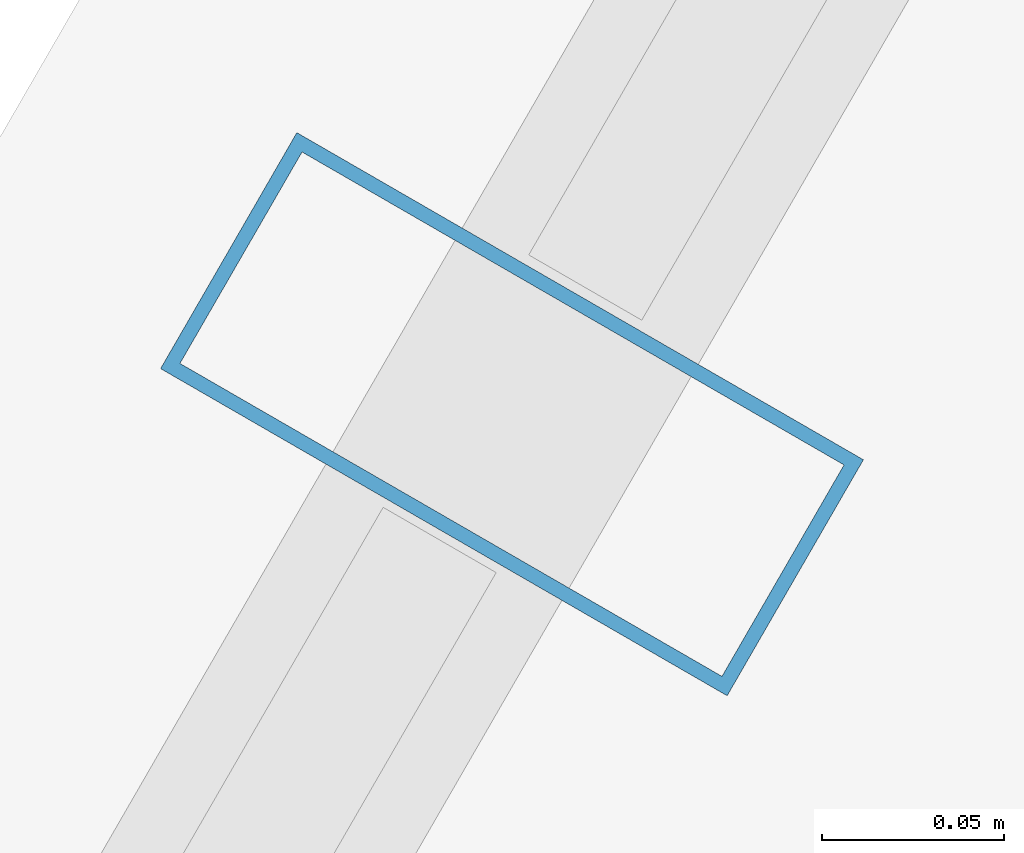
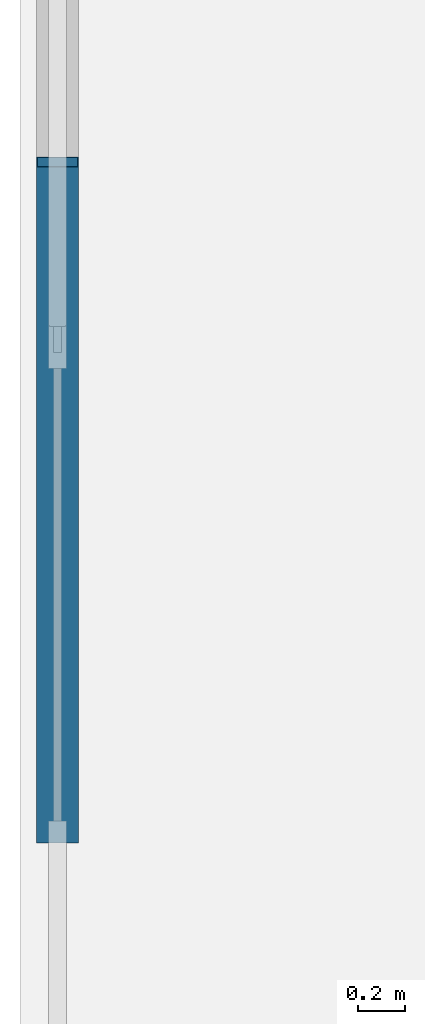
# One storey, part 13 of 31: 1 member, 1 element without a shape of its own.
"""IFC4 building model written with IfcOpenShell, lengths in metres."""

from ifc_helpers import new_model, si_unit, direction, frame, origin, origin_2d, place, context, subcontext, project, spatial, hollow_rectangle, extrude, material, layer, layer_set, material_profile, profile_set, type_object, element, aggregate, save


model = new_model("IFC4")

# Units and contexts
model_context = context("Model", 3, precision=1e-05, world=origin(), true_north=direction((0.0, 1.0)))
body_context = subcontext(model_context, "Body", "Model", "MODEL_VIEW")
ifc_project = project(units=[si_unit("LENGTHUNIT", "METRE"), si_unit("AREAUNIT", "SQUARE_METRE"), si_unit("VOLUMEUNIT", "CUBIC_METRE"), si_unit("PLANEANGLEUNIT", "RADIAN"), si_unit("MASSUNIT", "GRAM", prefix="KILO")], contexts=[model_context])

# Site, building, storey
site_placement = place(None, origin())
site = spatial("IfcSite", under=ifc_project, at=site_placement, CompositionType="ELEMENT")
building_placement = place(site_placement, origin())
building = spatial("IfcBuilding", under=site, at=building_placement, Name="Ndaravel Arena Tower", CompositionType="ELEMENT")
storey_placement = place(building_placement, frame((0.0, 0.0, 108.199951171875)))
storey = spatial("IfcBuildingStorey", under=building, at=storey_placement, Name="L25", CompositionType="ELEMENT", Elevation=108.199951171875)

# Curtain wall, member
ifc_material_1 = material(Name="Aluminium", Category="aluminium")
ifc_layer = layer(ifc_material_1, 0.179931640625)
ifc_layer_set = layer_set([ifc_layer], Name="Aluminium")
curtain_wall_type = type_object("IfcCurtainWallType", Name="CW-SYS-03", PredefinedType="NOTDEFINED", material=ifc_layer_set)
curtain_wall_placement = place(storey_placement, origin())
curtain_wall = element("IfcCurtainWall", 1, at=curtain_wall_placement, inside=storey, type_object=curtain_wall_type, Name="L25 Faceted Crystal Curtain Wall CW-L25-E05", PredefinedType="NOTDEFINED")
ifc_material_2 = material(Name="Aluminium", Category="aluminium")
ifc_material_profile = material_profile(ifc_material_2, hollow_rectangle(XDim=0.074951171875, YDim=0.179931640625, WallThickness=0.00390625, at=origin_2d()), Name="CW MULLION 75x180x4")
ifc_profile_set = profile_set([ifc_material_profile], Name="Aluminium")
member_type = type_object("IfcMemberType", Name="MEM-CW-MUL180", PredefinedType="MULLION", material=ifc_profile_set)
member_placement = place(storey_placement, frame((28.953857421875, 35.038818359375, 0.0), z_axis=(0.0, 0.0, 1.0), x_axis=(-0.5, -0.866025403784, 0.0)))
member = element("IfcMember", 2, at=member_placement, type_object=member_type, Name="CW-L25-E05 Mullion 03", PredefinedType="MULLION", context=body_context, shape_type="SweptSolid", body=[
    extrude(hollow_rectangle(XDim=0.074951171875, YDim=0.179931640625, WallThickness=0.00390625, at=origin_2d()), origin(), (0.0, 0.0, 1.0), 3.52001953125),
])
aggregate(curtain_wall, [member])

save(model, "model.ifc")
